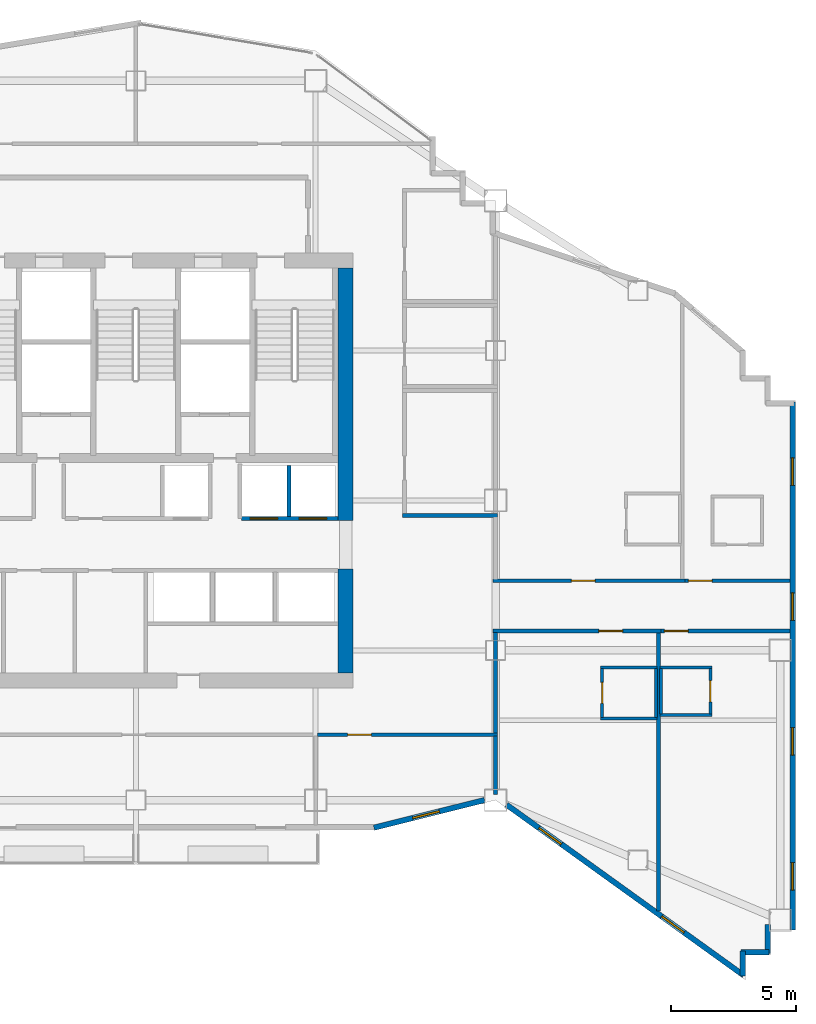
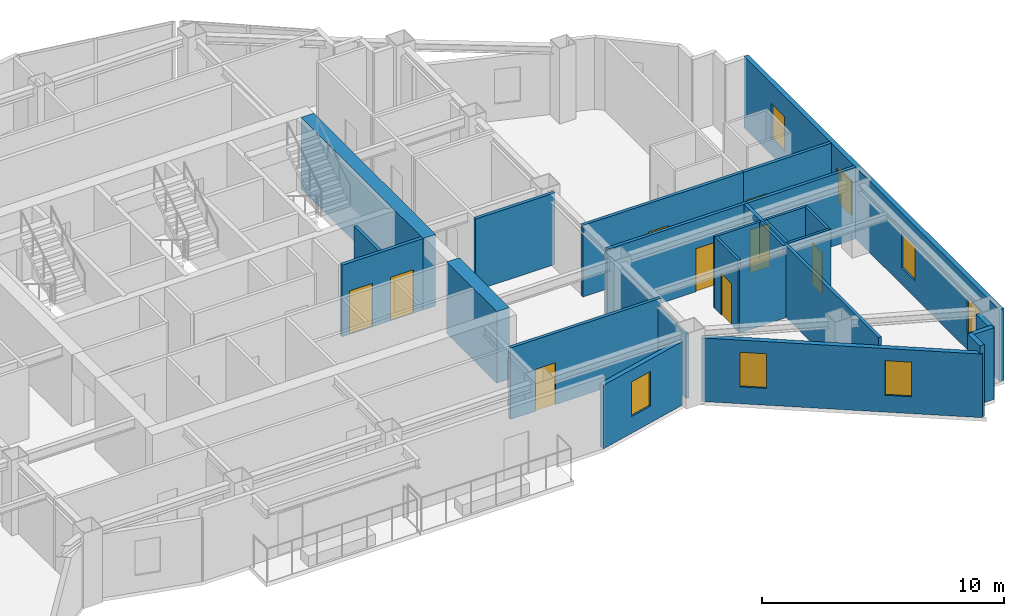
# One storey, part 7 of 10: 27 walls, 9 doors, 7 windows, 16 openings.
"""IFC4 building model written with IfcOpenShell, lengths in metres."""

from ifc_helpers import new_model, si_unit, direction, frame, frame_2d, origin, place, context, subcontext, project, spatial, rectangle, extrude, material, layer, layer_set, type_object, element, fill, save


model = new_model("IFC4")

# Units and contexts
model_context = context("Model", 3, precision=1e-05, world=origin(), true_north=direction((0.0, 1.0)))
body_context = subcontext(model_context, "Body", "Model", "MODEL_VIEW")
ifc_project = project(units=[si_unit("LENGTHUNIT", "METRE"), si_unit("AREAUNIT", "SQUARE_METRE"), si_unit("VOLUMEUNIT", "CUBIC_METRE"), si_unit("PLANEANGLEUNIT", "RADIAN"), si_unit("MASSUNIT", "GRAM", prefix="KILO")], contexts=[model_context])

# Site, building, storey
site_placement = place(None, origin())
site = spatial("IfcSite", under=ifc_project, at=site_placement, CompositionType="ELEMENT")
building_placement = place(site_placement, origin())
building = spatial("IfcBuilding", under=site, at=building_placement, Name="Haolan Belvedere Tower", CompositionType="ELEMENT")
storey_placement = place(building_placement, frame((0.0, 0.0, 180.39990234375)))
storey = spatial("IfcBuildingStorey", under=building, at=storey_placement, Name="L45", CompositionType="ELEMENT", Elevation=180.39990234375)

# Walls
ifc_material_1 = material(Name="Concrete C60/75", Category="concrete")
ifc_layer_1 = layer(ifc_material_1, 0.60009765625, Name="Concrete C60/75")
ifc_layer_set_1 = layer_set([ifc_layer_1], Name="Concrete C60/75")
wall_type_1 = type_object("IfcWallType", Name="WL-CORE-600", PredefinedType="SHEAR", material=ifc_layer_set_1)
wall_1_placement = place(storey_placement, frame((46.800048828125, 26.699951171875, 0.0), z_axis=(0.0, 0.0, 1.0), x_axis=(0.0, 1.0, 0.0)))
element("IfcWall", 1, at=wall_1_placement, inside=storey, type_object=wall_type_1, Name="L45 central core shear wall ES", PredefinedType="SHEAR", context=body_context, shape_type="SweptSolid", body=[
    extrude(rectangle(XDim=4.150146484375, YDim=0.60009765625, at=frame_2d((2.0751953125, 0.0))), origin(), (0.0, 0.0, 1.0), 3.6201171875),
])
wall_2_placement = place(storey_placement, frame((46.800048828125, 32.800048828125, 0.0), z_axis=(0.0, 0.0, 1.0), x_axis=(0.0, 1.0, 0.0)))
element("IfcWall", 2, at=wall_2_placement, inside=storey, type_object=wall_type_1, Name="L45 central core shear wall EN", PredefinedType="SHEAR", context=body_context, shape_type="SweptSolid", body=[
    extrude(rectangle(XDim=10.099853515625, YDim=0.60009765625, at=frame_2d((5.0498046875, 0.0))), origin(), (0.0, 0.0, 1.0), 3.6201171875),
])

# Wall, opening, window
ifc_material_2 = material(Name="Precast concrete C40/50", Category="concrete")
ifc_layer_2 = layer(ifc_material_2, 0.219970703125, Name="Precast concrete C40/50")
ifc_layer_set_2 = layer_set([ifc_layer_2], Name="Precast concrete C40/50")
wall_type_2 = type_object("IfcWallType", Name="WL-EXT-220", PredefinedType="SOLIDWALL", material=ifc_layer_set_2)
wall_3_placement = place(storey_placement, frame((47.93310546875, 20.49658203125, 0.0), z_axis=(0.0, 0.0, 1.0), x_axis=(0.970142500145, 0.242535625036, 0.0)))
wall_3 = element("IfcWall", 3, at=wall_3_placement, inside=storey, type_object=wall_type_2, Name="L45 pale-metal exterior spandrel wall 2.1", PredefinedType="SOLIDWALL", context=body_context, shape_type="SweptSolid", body=[
    extrude(rectangle(XDim=4.56103515625, YDim=0.219970703125, at=frame_2d((2.280517578125, 0.0))), origin(), (0.0, 0.0, 1.0), 3.215087890625),
])
opening_1_placement = place(wall_3_placement, frame((1.60009765625, 0.0, 0.85009765625)))
opening_1 = element("IfcOpeningElement", 4, at=opening_1_placement, cuts=wall_3, Name="Opening W-03", PredefinedType="OPENING", context=body_context, shape_type="SweptSolid", body=[
    extrude(rectangle(XDim=1.10009765625, YDim=1.75, at=frame_2d((0.550048828125, 0.875))), frame((0.0, 0.119873046875, 0.0), z_axis=(0.0, -1.0, 0.0), x_axis=(1.0, 0.0, 0.0)), (0.0, 0.0, 1.0), 0.239990234375),
])
ifc_material_3 = material(Name="Anodised aluminium 6063-T6 and Low-E glass", Category="aluminium")
window_type = type_object("IfcWindowType", Name="WN-DECO-Z3", PartitioningType="SINGLE_PANEL", PredefinedType="WINDOW", material=ifc_material_3)
window_1_placement = place(opening_1_placement, origin())
window_1 = element("IfcWindow", 5, at=window_1_placement, inside=storey, type_object=window_type, Name="L45 Art Deco chevron window 1", OverallHeight=1.75, OverallWidth=1.10009765625, PartitioningType="SINGLE_PANEL", PredefinedType="WINDOW", context=body_context, shape_type="SweptSolid", body=[
    extrude(rectangle(XDim=1.10009765625, YDim=1.75, at=frame_2d((0.550048828125, 0.875))), frame((0.0, 0.030029296875, 0.0), z_axis=(0.0, -1.0, 0.0), x_axis=(1.0, 0.0, 0.0)), (0.0, 0.0, 1.0), 0.06005859375),
])
fill(opening_1, window_1)

# Wall, openings, windows
wall_4_placement = place(storey_placement, frame((53.241943359375, 21.417236328125, 0.0), z_axis=(0.0, 0.0, 1.0), x_axis=(0.811534737332, -0.58430417601, 0.0)))
wall_4 = element("IfcWall", 6, at=wall_4_placement, inside=storey, type_object=wall_type_2, Name="L45 pale-metal exterior spandrel wall 3.1", PredefinedType="SOLIDWALL", context=body_context, shape_type="SweptSolid", body=[
    extrude(rectangle(XDim=11.697265625, YDim=0.219970703125, at=frame_2d((5.8486328125, 0.0))), origin(), (0.0, 0.0, 1.0), 3.215087890625),
])
opening_2_placement = place(wall_4_placement, frame((1.60009765625, 0.0, 0.85009765625)))
opening_2 = element("IfcOpeningElement", 7, at=opening_2_placement, cuts=wall_4, Name="Opening W-03", PredefinedType="OPENING", context=body_context, shape_type="SweptSolid", body=[
    extrude(rectangle(XDim=1.10009765625, YDim=1.75, at=frame_2d((0.550048828125, 0.875))), frame((0.0, 0.119873046875, 0.0), z_axis=(0.0, -1.0, 0.0), x_axis=(1.0, 0.0, 0.0)), (0.0, 0.0, 1.0), 0.239990234375),
])
opening_3_placement = place(wall_4_placement, frame((7.651123046875, 0.0, 0.85009765625)))
opening_3 = element("IfcOpeningElement", 8, at=opening_3_placement, cuts=wall_4, Name="Opening W-03", PredefinedType="OPENING", context=body_context, shape_type="SweptSolid", body=[
    extrude(rectangle(XDim=1.10009765625, YDim=1.75, at=frame_2d((0.550048828125, 0.875))), frame((0.0, 0.119873046875, 0.0), z_axis=(0.0, -1.0, 0.0), x_axis=(1.0, 0.0, 0.0)), (0.0, 0.0, 1.0), 0.239990234375),
])
window_2_placement = place(opening_2_placement, origin())
window_2 = element("IfcWindow", 9, at=window_2_placement, inside=storey, type_object=window_type, Name="L45 Art Deco chevron window 1", OverallHeight=1.75, OverallWidth=1.10009765625, PartitioningType="SINGLE_PANEL", PredefinedType="WINDOW", context=body_context, shape_type="SweptSolid", body=[
    extrude(rectangle(XDim=1.10009765625, YDim=1.75, at=frame_2d((0.550048828125, 0.875))), frame((0.0, 0.030029296875, 0.0), z_axis=(0.0, -1.0, 0.0), x_axis=(1.0, 0.0, 0.0)), (0.0, 0.0, 1.0), 0.06005859375),
])
fill(opening_2, window_2)
window_3_placement = place(opening_3_placement, origin())
window_3 = element("IfcWindow", 10, at=window_3_placement, inside=storey, type_object=window_type, Name="L45 Art Deco chevron window 2", OverallHeight=1.75, OverallWidth=1.10009765625, PartitioningType="SINGLE_PANEL", PredefinedType="WINDOW", context=body_context, shape_type="SweptSolid", body=[
    extrude(rectangle(XDim=1.10009765625, YDim=1.75, at=frame_2d((0.550048828125, 0.875))), frame((0.0, 0.030029296875, 0.0), z_axis=(0.0, -1.0, 0.0), x_axis=(1.0, 0.0, 0.0)), (0.0, 0.0, 1.0), 0.06005859375),
])
fill(opening_3, window_3)

# Walls
wall_5_placement = place(storey_placement, frame((62.68994140625, 14.559814453125, 0.0), z_axis=(0.0, 0.0, 1.0), x_axis=(0.0, 1.0, 0.0)))
element("IfcWall", 11, at=wall_5_placement, inside=storey, type_object=wall_type_2, Name="L45 pale-metal exterior spandrel wall 4.1", PredefinedType="SOLIDWALL", context=body_context, shape_type="SweptSolid", body=[
    extrude(rectangle(XDim=1.005126953125, YDim=0.219970703125, at=frame_2d((0.50244140625, 0.0))), origin(), (0.0, 0.0, 1.0), 3.6201171875),
])
wall_6_placement = place(storey_placement, frame((62.635009765625, 15.510009765625, 0.0), z_axis=(0.0, 0.0, 1.0), x_axis=(1.0, 0.0, 0.0)))
element("IfcWall", 12, at=wall_6_placement, inside=storey, type_object=wall_type_2, Name="L45 pale-metal exterior spandrel wall 5.1", PredefinedType="SOLIDWALL", context=body_context, shape_type="SweptSolid", body=[
    extrude(rectangle(XDim=1.110107421875, YDim=0.219970703125, at=frame_2d((0.55517578125, 0.0))), origin(), (0.0, 0.0, 1.0), 3.6201171875),
])
wall_7_placement = place(storey_placement, frame((63.68994140625, 15.455078125, 0.0), z_axis=(0.0, 0.0, 1.0), x_axis=(0.0, 1.0, 0.0)))
element("IfcWall", 13, at=wall_7_placement, inside=storey, type_object=wall_type_2, Name="L45 pale-metal exterior spandrel wall 6.1", PredefinedType="SOLIDWALL", context=body_context, shape_type="SweptSolid", body=[
    extrude(rectangle(XDim=1.1650390625, YDim=0.219970703125, at=frame_2d((0.58251953125, 0.0))), origin(), (0.0, 0.0, 1.0), 3.6201171875),
])

# Wall, openings, windows
wall_8_placement = place(storey_placement, frame((64.68994140625, 16.39990234375, 0.0), z_axis=(0.0, 0.0, 1.0), x_axis=(0.0, 1.0, 0.0)))
wall_8 = element("IfcWall", 14, at=wall_8_placement, inside=storey, type_object=wall_type_2, Name="L45 pale-metal exterior spandrel wall 8.1", PredefinedType="SOLIDWALL", context=body_context, shape_type="SweptSolid", body=[
    extrude(rectangle(XDim=21.14501953125, YDim=0.219970703125, at=frame_2d((10.572509765625, 0.0))), origin(), (0.0, 0.0, 1.0), 3.6201171875),
])
opening_4_placement = place(wall_8_placement, frame((1.60009765625, 0.0, 0.85009765625)))
opening_4 = element("IfcOpeningElement", 15, at=opening_4_placement, cuts=wall_8, Name="Opening W-03", PredefinedType="OPENING", context=body_context, shape_type="SweptSolid", body=[
    extrude(rectangle(XDim=1.10009765625, YDim=1.75, at=frame_2d((0.550048828125, 0.875))), frame((0.0, 0.119873046875, 0.0), z_axis=(0.0, -1.0, 0.0), x_axis=(1.0, 0.0, 0.0)), (0.0, 0.0, 1.0), 0.239990234375),
])
opening_5_placement = place(wall_8_placement, frame((7.0, 0.0, 0.85009765625)))
opening_5 = element("IfcOpeningElement", 16, at=opening_5_placement, cuts=wall_8, Name="Opening W-03", PredefinedType="OPENING", context=body_context, shape_type="SweptSolid", body=[
    extrude(rectangle(XDim=1.10009765625, YDim=1.75, at=frame_2d((0.550048828125, 0.875))), frame((0.0, 0.119873046875, 0.0), z_axis=(0.0, -1.0, 0.0), x_axis=(1.0, 0.0, 0.0)), (0.0, 0.0, 1.0), 0.239990234375),
])
opening_6_placement = place(wall_8_placement, frame((12.39990234375, 0.0, 0.85009765625)))
opening_6 = element("IfcOpeningElement", 17, at=opening_6_placement, cuts=wall_8, Name="Opening W-03", PredefinedType="OPENING", context=body_context, shape_type="SweptSolid", body=[
    extrude(rectangle(XDim=1.10009765625, YDim=1.75, at=frame_2d((0.550048828125, 0.875))), frame((0.0, 0.119873046875, 0.0), z_axis=(0.0, -1.0, 0.0), x_axis=(1.0, 0.0, 0.0)), (0.0, 0.0, 1.0), 0.239990234375),
])
opening_7_placement = place(wall_8_placement, frame((17.800048828125, 0.0, 0.85009765625)))
opening_7 = element("IfcOpeningElement", 18, at=opening_7_placement, cuts=wall_8, Name="Opening W-03", PredefinedType="OPENING", context=body_context, shape_type="SweptSolid", body=[
    extrude(rectangle(XDim=1.10009765625, YDim=1.75, at=frame_2d((0.550048828125, 0.875))), frame((0.0, 0.119873046875, 0.0), z_axis=(0.0, -1.0, 0.0), x_axis=(1.0, 0.0, 0.0)), (0.0, 0.0, 1.0), 0.239990234375),
])
window_4_placement = place(opening_4_placement, origin())
window_4 = element("IfcWindow", 19, at=window_4_placement, inside=storey, type_object=window_type, Name="L45 Art Deco chevron window 1", OverallHeight=1.75, OverallWidth=1.10009765625, PartitioningType="SINGLE_PANEL", PredefinedType="WINDOW", context=body_context, shape_type="SweptSolid", body=[
    extrude(rectangle(XDim=1.10009765625, YDim=1.75, at=frame_2d((0.550048828125, 0.875))), frame((0.0, 0.030029296875, 0.0), z_axis=(0.0, -1.0, 0.0), x_axis=(1.0, 0.0, 0.0)), (0.0, 0.0, 1.0), 0.06005859375),
])
fill(opening_4, window_4)
window_5_placement = place(opening_5_placement, origin())
window_5 = element("IfcWindow", 20, at=window_5_placement, inside=storey, type_object=window_type, Name="L45 Art Deco chevron window 2", OverallHeight=1.75, OverallWidth=1.10009765625, PartitioningType="SINGLE_PANEL", PredefinedType="WINDOW", context=body_context, shape_type="SweptSolid", body=[
    extrude(rectangle(XDim=1.10009765625, YDim=1.75, at=frame_2d((0.550048828125, 0.875))), frame((0.0, 0.030029296875, 0.0), z_axis=(0.0, -1.0, 0.0), x_axis=(1.0, 0.0, 0.0)), (0.0, 0.0, 1.0), 0.06005859375),
])
fill(opening_5, window_5)
window_6_placement = place(opening_6_placement, origin())
window_6 = element("IfcWindow", 21, at=window_6_placement, inside=storey, type_object=window_type, Name="L45 Art Deco chevron window 3", OverallHeight=1.75, OverallWidth=1.10009765625, PartitioningType="SINGLE_PANEL", PredefinedType="WINDOW", context=body_context, shape_type="SweptSolid", body=[
    extrude(rectangle(XDim=1.10009765625, YDim=1.75, at=frame_2d((0.550048828125, 0.875))), frame((0.0, 0.030029296875, 0.0), z_axis=(0.0, -1.0, 0.0), x_axis=(1.0, 0.0, 0.0)), (0.0, 0.0, 1.0), 0.06005859375),
])
fill(opening_6, window_6)
window_7_placement = place(opening_7_placement, origin())
window_7 = element("IfcWindow", 22, at=window_7_placement, inside=storey, type_object=window_type, Name="L45 Art Deco chevron window 4", OverallHeight=1.75, OverallWidth=1.10009765625, PartitioningType="SINGLE_PANEL", PredefinedType="WINDOW", context=body_context, shape_type="SweptSolid", body=[
    extrude(rectangle(XDim=1.10009765625, YDim=1.75, at=frame_2d((0.550048828125, 0.875))), frame((0.0, 0.030029296875, 0.0), z_axis=(0.0, -1.0, 0.0), x_axis=(1.0, 0.0, 0.0)), (0.0, 0.0, 1.0), 0.06005859375),
])
fill(opening_7, window_7)

# Wall
ifc_material_4 = material(Name="Double gypsum acoustic stud partition", Category="masonry")
ifc_layer_3 = layer(ifc_material_4, 0.14990234375, Name="Double gypsum acoustic stud partition")
ifc_layer_set_3 = layer_set([ifc_layer_3], Name="Double gypsum acoustic stud partition")
wall_type_3 = type_object("IfcWallType", Name="WL-PART-150", PredefinedType="PARTITIONING", material=ifc_layer_set_3)
wall_9_placement = place(storey_placement, frame((49.080078125, 33.0, 0.0), z_axis=(0.0, 0.0, 1.0), x_axis=(1.0, 0.0, 0.0)))
element("IfcWall", 23, at=wall_9_placement, inside=storey, type_object=wall_type_3, Name="L45 interior partition IW-L45-BPN-S", PredefinedType="PARTITIONING", context=body_context, shape_type="SweptSolid", body=[
    extrude(rectangle(XDim=3.7998046875, YDim=0.14990234375, at=frame_2d((1.89990234375, 0.0))), origin(), (0.0, 0.0, 1.0), 3.6201171875),
])

# Wall, opening, door
wall_10_placement = place(storey_placement, frame((45.681884765625, 24.219970703125, 0.0), z_axis=(0.0, 0.0, 1.0), x_axis=(1.0, 0.0, 0.0)))
wall_10 = element("IfcWall", 24, at=wall_10_placement, inside=storey, type_object=wall_type_3, Name="L45 interior partition IW-L45-KS3-N", PredefinedType="PARTITIONING", context=body_context, shape_type="SweptSolid", body=[
    extrude(rectangle(XDim=7.197998046875, YDim=0.14990234375, at=frame_2d((3.59912109375, 0.0))), origin(), (0.0, 0.0, 1.0), 3.6201171875),
])
opening_8_placement = place(wall_10_placement, frame((2.14306640625, 0.0, 0.0), z_axis=(0.0, 0.0, 1.0), x_axis=(-1.0, 0.0, 0.0)))
opening_8 = element("IfcOpeningElement", 25, at=opening_8_placement, cuts=wall_10, Name="Opening ID-03", PredefinedType="OPENING", context=body_context, shape_type="SweptSolid", body=[
    extrude(rectangle(XDim=0.949951171875, YDim=2.1201171875, at=frame_2d((0.47509765625, 1.06005859375))), frame((0.0, 0.0849609375, 0.0), z_axis=(0.0, -1.0, 0.0), x_axis=(1.0, 0.0, 0.0)), (0.0, 0.0, 1.0), 0.169921875),
])
ifc_material_5 = material(Name="Painted solid-core timber", Category="wood")
door_type_1 = type_object("IfcDoorType", Name="DR-INT-950", OperationType="NOTDEFINED", PredefinedType="DOOR", material=ifc_material_5)
door_1_placement = place(opening_8_placement, origin())
door_1 = element("IfcDoor", 26, at=door_1_placement, inside=storey, type_object=door_type_1, Name="L45 door ID-L45-KS3", OperationType="SINGLE_SWING_LEFT", OverallHeight=2.1201171875, OverallWidth=0.949951171875, PredefinedType="DOOR", context=body_context, shape_type="SweptSolid", body=[
    extrude(rectangle(XDim=0.949951171875, YDim=2.1201171875, at=frame_2d((0.47509765625, 1.06005859375))), frame((0.0, 0.02490234375, 0.0), z_axis=(0.0, -1.0, 0.0), x_axis=(1.0, 0.0, 0.0)), (0.0, 0.0, 1.0), 0.050048828125),
])
fill(opening_8, door_1)

# Wall
wall_11_placement = place(storey_placement, frame((52.800048828125, 21.818603515625, 0.0), z_axis=(0.0, 0.0, 1.0), x_axis=(0.0, 1.0, 0.0)))
element("IfcWall", 27, at=wall_11_placement, inside=storey, type_object=wall_type_3, Name="L45 interior partition IW-L45-KS3-E", PredefinedType="PARTITIONING", context=body_context, shape_type="SweptSolid", body=[
    extrude(rectangle(XDim=2.34130859375, YDim=0.14990234375, at=frame_2d((1.170654296875, 0.0))), origin(), (0.0, 0.0, 1.0), 3.215087890625),
])

# Wall, opening, door
wall_12_placement = place(storey_placement, frame((52.699951171875, 30.3798828125, 0.0), z_axis=(0.0, 0.0, 1.0), x_axis=(1.0, 0.0, 0.0)))
wall_12 = element("IfcWall", 28, at=wall_12_placement, inside=storey, type_object=wall_type_3, Name="L45 interior partition IW-L45-T4N1-S", PredefinedType="PARTITIONING", context=body_context, shape_type="SweptSolid", body=[
    extrude(rectangle(XDim=7.679931640625, YDim=0.14990234375, at=frame_2d((3.83984375, 0.0))), origin(), (0.0, 0.0, 1.0), 3.6201171875),
])
opening_9_placement = place(wall_12_placement, frame((3.137451171875, 0.0, 0.0)))
opening_9 = element("IfcOpeningElement", 29, at=opening_9_placement, cuts=wall_12, Name="Opening ID-01", PredefinedType="OPENING", context=body_context, shape_type="SweptSolid", body=[
    extrude(rectangle(XDim=0.949951171875, YDim=2.179931640625, at=frame_2d((0.47509765625, 1.08984375))), frame((0.0, 0.0849609375, 0.0), z_axis=(0.0, -1.0, 0.0), x_axis=(1.0, 0.0, 0.0)), (0.0, 0.0, 1.0), 0.169921875),
])
ifc_material_6 = material(Name="Acoustic walnut veneer fire-rated timber", Category="wood")
door_type_2 = type_object("IfcDoorType", Name="DR-SUITE-950", OperationType="NOTDEFINED", PredefinedType="DOOR", material=ifc_material_6)
door_2_placement = place(opening_9_placement, origin())
door_2 = element("IfcDoor", 30, at=door_2_placement, inside=storey, type_object=door_type_2, Name="L45 door ID-L45-T4N1-ENT", OperationType="SINGLE_SWING_RIGHT", OverallHeight=2.179931640625, OverallWidth=0.949951171875, PredefinedType="DOOR", context=body_context, shape_type="SweptSolid", body=[
    extrude(rectangle(XDim=0.949951171875, YDim=2.179931640625, at=frame_2d((0.47509765625, 1.08984375))), frame((0.0, 0.02490234375, 0.0), z_axis=(0.0, -1.0, 0.0), x_axis=(1.0, 0.0, 0.0)), (0.0, 0.0, 1.0), 0.050048828125),
])
fill(opening_9, door_2)

wall_13_placement = place(storey_placement, frame((60.382080078125, 30.3798828125, 0.0), z_axis=(0.0, 0.0, 1.0), x_axis=(1.0, 0.0, 0.0)))
wall_13 = element("IfcWall", 31, at=wall_13_placement, inside=storey, type_object=wall_type_3, Name="L45 interior partition IW-L45-T4N2-S", PredefinedType="PARTITIONING", context=body_context, shape_type="SweptSolid", body=[
    extrude(rectangle(XDim=4.205810546875, YDim=0.14990234375, at=frame_2d((2.10302734375, 0.0))), origin(), (0.0, 0.0, 1.0), 3.6201171875),
])
opening_10_placement = place(wall_13_placement, frame((0.139892578125, 0.0, 0.0)))
opening_10 = element("IfcOpeningElement", 32, at=opening_10_placement, cuts=wall_13, Name="Opening ID-02", PredefinedType="OPENING", context=body_context, shape_type="SweptSolid", body=[
    extrude(rectangle(XDim=0.949951171875, YDim=2.14990234375, at=frame_2d((0.47509765625, 1.074951171875))), frame((0.0, 0.0849609375, 0.0), z_axis=(0.0, -1.0, 0.0), x_axis=(1.0, 0.0, 0.0)), (0.0, 0.0, 1.0), 0.169921875),
])
ifc_material_7 = material(Name="Acoustic oak veneer fire-rated timber", Category="wood")
door_type_3 = type_object("IfcDoorType", Name="DR-GUEST-950", OperationType="NOTDEFINED", PredefinedType="DOOR", material=ifc_material_7)
door_3_placement = place(opening_10_placement, origin())
door_3 = element("IfcDoor", 33, at=door_3_placement, inside=storey, type_object=door_type_3, Name="L45 door ID-L45-T4N2-ENT", OperationType="SINGLE_SWING_LEFT", OverallHeight=2.14990234375, OverallWidth=0.949951171875, PredefinedType="DOOR", context=body_context, shape_type="SweptSolid", body=[
    extrude(rectangle(XDim=0.949951171875, YDim=2.14990234375, at=frame_2d((0.47509765625, 1.074951171875))), frame((0.0, 0.02490234375, 0.0), z_axis=(0.0, -1.0, 0.0), x_axis=(1.0, 0.0, 0.0)), (0.0, 0.0, 1.0), 0.050048828125),
])
fill(opening_10, door_3)

wall_14_placement = place(storey_placement, frame((52.699951171875, 28.3701171875, 0.0), z_axis=(0.0, 0.0, 1.0), x_axis=(1.0, 0.0, 0.0)))
wall_14 = element("IfcWall", 34, at=wall_14_placement, inside=storey, type_object=wall_type_3, Name="L45 interior partition IW-L45-T4S1-N", PredefinedType="PARTITIONING", context=body_context, shape_type="SweptSolid", body=[
    extrude(rectangle(XDim=6.719970703125, YDim=0.14990234375, at=frame_2d((3.35986328125, 0.0))), origin(), (0.0, 0.0, 1.0), 3.6201171875),
])
opening_11_placement = place(wall_14_placement, frame((5.1875, 0.0, 0.0), z_axis=(0.0, 0.0, 1.0), x_axis=(-1.0, 0.0, 0.0)))
opening_11 = element("IfcOpeningElement", 35, at=opening_11_placement, cuts=wall_14, Name="Opening ID-01", PredefinedType="OPENING", context=body_context, shape_type="SweptSolid", body=[
    extrude(rectangle(XDim=0.949951171875, YDim=2.179931640625, at=frame_2d((0.47509765625, 1.08984375))), frame((0.0, 0.0849609375, 0.0), z_axis=(0.0, -1.0, 0.0), x_axis=(1.0, 0.0, 0.0)), (0.0, 0.0, 1.0), 0.169921875),
])
door_4_placement = place(opening_11_placement, origin())
door_4 = element("IfcDoor", 36, at=door_4_placement, inside=storey, type_object=door_type_2, Name="L45 door ID-L45-T4S1-ENT", OperationType="SINGLE_SWING_RIGHT", OverallHeight=2.179931640625, OverallWidth=0.949951171875, PredefinedType="DOOR", context=body_context, shape_type="SweptSolid", body=[
    extrude(rectangle(XDim=0.949951171875, YDim=2.179931640625, at=frame_2d((0.47509765625, 1.08984375))), frame((0.0, 0.02490234375, 0.0), z_axis=(0.0, -1.0, 0.0), x_axis=(1.0, 0.0, 0.0)), (0.0, 0.0, 1.0), 0.050048828125),
])
fill(opening_11, door_4)

# Walls
wall_15_placement = place(storey_placement, frame((52.800048828125, 24.280029296875, 0.0), z_axis=(0.0, 0.0, 1.0), x_axis=(0.0, 1.0, 0.0)))
element("IfcWall", 37, at=wall_15_placement, inside=storey, type_object=wall_type_3, Name="L45 interior partition IW-L45-T4S1-W", PredefinedType="PARTITIONING", context=body_context, shape_type="SweptSolid", body=[
    extrude(rectangle(XDim=4.030029296875, YDim=0.14990234375, at=frame_2d((2.01513671875, 0.0))), origin(), (0.0, 0.0, 1.0), 3.215087890625),
])
wall_16_placement = place(storey_placement, frame((59.320068359375, 17.166748046875, 0.0), z_axis=(0.0, 0.0, 1.0), x_axis=(0.0, 1.0, 0.0)))
element("IfcWall", 38, at=wall_16_placement, inside=storey, type_object=wall_type_3, Name="L45 interior partition IW-L45-T4S1-E", PredefinedType="PARTITIONING", context=body_context, shape_type="SweptSolid", body=[
    extrude(rectangle(XDim=11.143310546875, YDim=0.14990234375, at=frame_2d((5.57177734375, 0.0))), origin(), (0.0, 0.0, 1.0), 3.6201171875),
])

# Wall, opening, door
wall_17_placement = place(storey_placement, frame((59.422119140625, 28.3701171875, 0.0), z_axis=(0.0, 0.0, 1.0), x_axis=(1.0, 0.0, 0.0)))
wall_17 = element("IfcWall", 39, at=wall_17_placement, inside=storey, type_object=wall_type_3, Name="L45 interior partition IW-L45-T4S2-N", PredefinedType="PARTITIONING", context=body_context, shape_type="SweptSolid", body=[
    extrude(rectangle(XDim=5.165771484375, YDim=0.14990234375, at=frame_2d((2.5830078125, 0.0))), origin(), (0.0, 0.0, 1.0), 3.6201171875),
])
opening_12_placement = place(wall_17_placement, frame((1.08984375, 0.0, 0.0), z_axis=(0.0, 0.0, 1.0), x_axis=(-1.0, 0.0, 0.0)))
opening_12 = element("IfcOpeningElement", 40, at=opening_12_placement, cuts=wall_17, Name="Opening ID-01", PredefinedType="OPENING", context=body_context, shape_type="SweptSolid", body=[
    extrude(rectangle(XDim=0.949951171875, YDim=2.179931640625, at=frame_2d((0.47509765625, 1.08984375))), frame((0.0, 0.0849609375, 0.0), z_axis=(0.0, -1.0, 0.0), x_axis=(1.0, 0.0, 0.0)), (0.0, 0.0, 1.0), 0.169921875),
])
door_5_placement = place(opening_12_placement, origin())
door_5 = element("IfcDoor", 41, at=door_5_placement, inside=storey, type_object=door_type_2, Name="L45 door ID-L45-T4S2-ENT", OperationType="SINGLE_SWING_LEFT", OverallHeight=2.179931640625, OverallWidth=0.949951171875, PredefinedType="DOOR", context=body_context, shape_type="SweptSolid", body=[
    extrude(rectangle(XDim=0.949951171875, YDim=2.179931640625, at=frame_2d((0.47509765625, 1.08984375))), frame((0.0, 0.02490234375, 0.0), z_axis=(0.0, -1.0, 0.0), x_axis=(1.0, 0.0, 0.0)), (0.0, 0.0, 1.0), 0.050048828125),
])
fill(opening_12, door_5)

# Wall, openings, doors
ifc_material_8 = material(Name="Gypsum fire shaftwall assembly", Category="masonry")
ifc_layer_4 = layer(ifc_material_8, 0.1650390625, Name="Gypsum fire shaftwall assembly")
ifc_layer_set_4 = layer_set([ifc_layer_4], Name="Gypsum fire shaftwall assembly")
wall_type_4 = type_object("IfcWallType", Name="WL-SHAFT-160", PredefinedType="SOLIDWALL", material=ifc_layer_set_4)
wall_18_placement = place(storey_placement, frame((42.6298828125, 32.8798828125, 0.0), z_axis=(0.0, 0.0, 1.0), x_axis=(1.0, 0.0, 0.0)))
wall_18 = element("IfcWall", 42, at=wall_18_placement, inside=storey, type_object=wall_type_4, Name="L45 interior partition IW-L45-ROW-PN3", PredefinedType="SOLIDWALL", context=body_context, shape_type="SweptSolid", body=[
    extrude(rectangle(XDim=3.8701171875, YDim=0.159912109375, at=frame_2d((1.93505859375, 0.0))), origin(), (0.0, 0.0, 1.0), 3.6201171875),
])
opening_13_placement = place(wall_18_placement, frame((1.4501953125, 0.0, 0.0), z_axis=(0.0, 0.0, 1.0), x_axis=(-1.0, 0.0, 0.0)))
opening_13 = element("IfcOpeningElement", 43, at=opening_13_placement, cuts=wall_18, Name="Opening LD-01", PredefinedType="OPENING", context=body_context, shape_type="SweptSolid", body=[
    extrude(rectangle(XDim=1.10009765625, YDim=2.199951171875, at=frame_2d((0.550048828125, 1.10009765625))), frame((0.0, 0.08984375, 0.0), z_axis=(0.0, -1.0, 0.0), x_axis=(1.0, 0.0, 0.0)), (0.0, 0.0, 1.0), 0.179931640625),
])
opening_14_placement = place(wall_18_placement, frame((3.41015625, 0.0, 0.0), z_axis=(0.0, 0.0, 1.0), x_axis=(-1.0, 0.0, 0.0)))
opening_14 = element("IfcOpeningElement", 44, at=opening_14_placement, cuts=wall_18, Name="Opening LD-01", PredefinedType="OPENING", context=body_context, shape_type="SweptSolid", body=[
    extrude(rectangle(XDim=1.10009765625, YDim=2.199951171875, at=frame_2d((0.550048828125, 1.10009765625))), frame((0.0, 0.08984375, 0.0), z_axis=(0.0, -1.0, 0.0), x_axis=(1.0, 0.0, 0.0)), (0.0, 0.0, 1.0), 0.179931640625),
])
ifc_material_9 = material(Name="Brushed champagne stainless steel 316L", Category="steel")
door_type_4 = type_object("IfcDoorType", Name="DR-LIFT-1100", OperationType="SLIDING_TO_LEFT", PredefinedType="DOOR", material=ifc_material_9)
door_6_placement = place(opening_13_placement, origin())
door_6 = element("IfcDoor", 45, at=door_6_placement, inside=storey, type_object=door_type_4, Name="L45 door ID-L45-LD-PH2", OperationType="SLIDING_TO_RIGHT", OverallHeight=2.199951171875, OverallWidth=1.10009765625, PredefinedType="DOOR", context=body_context, shape_type="SweptSolid", body=[
    extrude(rectangle(XDim=1.10009765625, YDim=2.199951171875, at=frame_2d((0.550048828125, 1.10009765625))), frame((0.0, 0.02490234375, 0.0), z_axis=(0.0, -1.0, 0.0), x_axis=(1.0, 0.0, 0.0)), (0.0, 0.0, 1.0), 0.050048828125),
])
fill(opening_13, door_6)
door_7_placement = place(opening_14_placement, origin())
door_7 = element("IfcDoor", 46, at=door_7_placement, inside=storey, type_object=door_type_4, Name="L45 door ID-L45-LD-PH3", OperationType="SLIDING_TO_RIGHT", OverallHeight=2.199951171875, OverallWidth=1.10009765625, PredefinedType="DOOR", context=body_context, shape_type="SweptSolid", body=[
    extrude(rectangle(XDim=1.10009765625, YDim=2.199951171875, at=frame_2d((0.550048828125, 1.10009765625))), frame((0.0, 0.02490234375, 0.0), z_axis=(0.0, -1.0, 0.0), x_axis=(1.0, 0.0, 0.0)), (0.0, 0.0, 1.0), 0.050048828125),
])
fill(opening_14, door_7)

# Walls
wall_19_placement = place(storey_placement, frame((44.530029296875, 32.949951171875, 0.0), z_axis=(0.0, 0.0, 1.0), x_axis=(0.0, 1.0, 0.0)))
element("IfcWall", 47, at=wall_19_placement, inside=storey, type_object=wall_type_4, Name="L45 interior partition IW-L45-DIV-PH2", PredefinedType="SOLIDWALL", context=body_context, shape_type="SweptSolid", body=[
    extrude(rectangle(XDim=2.050048828125, YDim=0.14990234375, at=frame_2d((1.02490234375, 0.0))), origin(), (0.0, 0.0, 1.0), 3.6201171875),
])
ifc_material_10 = material(Name="Moisture-resistant gypsum tile partition", Category="masonry")
ifc_layer_5 = layer(ifc_material_10, 0.1201171875, Name="Moisture-resistant gypsum tile partition")
ifc_layer_set_5 = layer_set([ifc_layer_5], Name="Moisture-resistant gypsum tile partition")
wall_type_5 = type_object("IfcWallType", Name="WL-WET-120", PredefinedType="PARTITIONING", material=ifc_layer_set_5)
wall_20_placement = place(storey_placement, frame((57.010009765625, 26.919921875, 0.0), z_axis=(0.0, 0.0, 1.0), x_axis=(1.0, 0.0, 0.0)))
element("IfcWall", 48, at=wall_20_placement, inside=storey, type_object=wall_type_5, Name="L45 interior partition IW-L45-T4S1-BN", PredefinedType="PARTITIONING", context=body_context, shape_type="SweptSolid", body=[
    extrude(rectangle(XDim=2.25, YDim=0.1201171875, at=frame_2d((1.125, 0.0))), origin(), (0.0, 0.0, 1.0), 3.6201171875),
])
wall_21_placement = place(storey_placement, frame((57.010009765625, 24.8701171875, 0.0), z_axis=(0.0, 0.0, 1.0), x_axis=(1.0, 0.0, 0.0)))
element("IfcWall", 49, at=wall_21_placement, inside=storey, type_object=wall_type_5, Name="L45 interior partition IW-L45-T4S1-BS", PredefinedType="PARTITIONING", context=body_context, shape_type="SweptSolid", body=[
    extrude(rectangle(XDim=2.25, YDim=0.1201171875, at=frame_2d((1.125, 0.0))), origin(), (0.0, 0.0, 1.0), 3.255126953125),
])

# Wall, opening, door
wall_22_placement = place(storey_placement, frame((57.070068359375, 24.9150390625, 0.0), z_axis=(0.0, 0.0, 1.0), x_axis=(0.0, 1.0, 0.0)))
wall_22 = element("IfcWall", 50, at=wall_22_placement, inside=storey, type_object=wall_type_5, Name="L45 interior partition IW-L45-T4S1-BW", PredefinedType="PARTITIONING", context=body_context, shape_type="SweptSolid", body=[
    extrude(rectangle(XDim=1.9599609375, YDim=0.1201171875, at=frame_2d((0.97998046875, 0.0))), origin(), (0.0, 0.0, 1.0), 3.6201171875),
])
opening_15_placement = place(wall_22_placement, frame((1.405029296875, 0.0, 0.0), z_axis=(0.0, 0.0, 1.0), x_axis=(-1.0, 0.0, 0.0)))
opening_15 = element("IfcOpeningElement", 51, at=opening_15_placement, cuts=wall_22, Name="Opening ID-05", PredefinedType="OPENING", context=body_context, shape_type="SweptSolid", body=[
    extrude(rectangle(XDim=0.85009765625, YDim=2.10009765625, at=frame_2d((0.425048828125, 1.050048828125))), frame((0.0, 0.070068359375, 0.0), z_axis=(0.0, -1.0, 0.0), x_axis=(1.0, 0.0, 0.0)), (0.0, 0.0, 1.0), 0.14013671875),
])
ifc_material_11 = material(Name="Moisture-resistant lacquered timber", Category="wood")
door_type_5 = type_object("IfcDoorType", Name="DR-BATH-850", OperationType="NOTDEFINED", PredefinedType="DOOR", material=ifc_material_11)
door_8_placement = place(opening_15_placement, origin())
door_8 = element("IfcDoor", 52, at=door_8_placement, inside=storey, type_object=door_type_5, Name="L45 door ID-L45-T4S1-BATH", OperationType="SINGLE_SWING_LEFT", OverallHeight=2.10009765625, OverallWidth=0.85009765625, PredefinedType="DOOR", context=body_context, shape_type="SweptSolid", body=[
    extrude(rectangle(XDim=0.85009765625, YDim=2.10009765625, at=frame_2d((0.425048828125, 1.050048828125))), frame((0.0, 0.02490234375, 0.0), z_axis=(0.0, -1.0, 0.0), x_axis=(1.0, 0.0, 0.0)), (0.0, 0.0, 1.0), 0.050048828125),
])
fill(opening_15, door_8)

# Walls
wall_23_placement = place(storey_placement, frame((59.219970703125, 24.9150390625, 0.0), z_axis=(0.0, 0.0, 1.0), x_axis=(0.0, 1.0, 0.0)))
element("IfcWall", 53, at=wall_23_placement, inside=storey, type_object=wall_type_5, Name="L45 interior partition IW-L45-T4S1-BE", PredefinedType="PARTITIONING", context=body_context, shape_type="SweptSolid", body=[
    extrude(rectangle(XDim=1.9599609375, YDim=0.1201171875, at=frame_2d((0.97998046875, 0.0))), origin(), (0.0, 0.0, 1.0), 3.6201171875),
])
for number, where, z_axis, x_axis, name in (
    (54, (59.3798828125, 26.919921875, 0.0), (0.0, 0.0, 1.0), (1.0, 0.0, 0.0), "L45 interior partition IW-L45-T4S2-BN"),
    (55, (59.3798828125, 25.0, 0.0), (0.0, 0.0, 1.0), (1.0, 0.0, 0.0), "L45 interior partition IW-L45-T4S2-BS"),
):
    element("IfcWall", number, at=place(storey_placement, frame(where, z_axis=z_axis, x_axis=x_axis)), inside=storey, type_object=wall_type_5, Name=name, PredefinedType="PARTITIONING", context=body_context, shape_type="SweptSolid", body=[
        extrude(rectangle(XDim=2.080078125, YDim=0.1201171875, at=frame_2d((1.0400390625, 0.0))), origin(), (0.0, 0.0, 1.0), 3.6201171875),
    ])
wall_24_placement = place(storey_placement, frame((59.419921875, 25.044921875, 0.0), z_axis=(0.0, 0.0, 1.0), x_axis=(0.0, 1.0, 0.0)))
element("IfcWall", 56, at=wall_24_placement, inside=storey, type_object=wall_type_5, Name="L45 interior partition IW-L45-T4S2-BW", PredefinedType="PARTITIONING", context=body_context, shape_type="SweptSolid", body=[
    extrude(rectangle(XDim=1.830078125, YDim=0.1201171875, at=frame_2d((0.9150390625, 0.0))), origin(), (0.0, 0.0, 1.0), 3.6201171875),
])

# Wall, opening, door
wall_25_placement = place(storey_placement, frame((61.39990234375, 25.044921875, 0.0), z_axis=(0.0, 0.0, 1.0), x_axis=(0.0, 1.0, 0.0)))
wall_25 = element("IfcWall", 57, at=wall_25_placement, inside=storey, type_object=wall_type_5, Name="L45 interior partition IW-L45-T4S2-BE", PredefinedType="PARTITIONING", context=body_context, shape_type="SweptSolid", body=[
    extrude(rectangle(XDim=1.830078125, YDim=0.1201171875, at=frame_2d((0.9150390625, 0.0))), origin(), (0.0, 0.0, 1.0), 3.6201171875),
])
opening_16_placement = place(wall_25_placement, frame((0.489990234375, 0.0, 0.0)))
opening_16 = element("IfcOpeningElement", 58, at=opening_16_placement, cuts=wall_25, Name="Opening ID-05", PredefinedType="OPENING", context=body_context, shape_type="SweptSolid", body=[
    extrude(rectangle(XDim=0.85009765625, YDim=2.10009765625, at=frame_2d((0.425048828125, 1.050048828125))), frame((0.0, 0.070068359375, 0.0), z_axis=(0.0, -1.0, 0.0), x_axis=(1.0, 0.0, 0.0)), (0.0, 0.0, 1.0), 0.14013671875),
])
door_9_placement = place(opening_16_placement, origin())
door_9 = element("IfcDoor", 59, at=door_9_placement, inside=storey, type_object=door_type_5, Name="L45 door ID-L45-T4S2-BATH", OperationType="SINGLE_SWING_RIGHT", OverallHeight=2.10009765625, OverallWidth=0.85009765625, PredefinedType="DOOR", context=body_context, shape_type="SweptSolid", body=[
    extrude(rectangle(XDim=0.85009765625, YDim=2.10009765625, at=frame_2d((0.425048828125, 1.050048828125))), frame((0.0, 0.02490234375, 0.0), z_axis=(0.0, -1.0, 0.0), x_axis=(1.0, 0.0, 0.0)), (0.0, 0.0, 1.0), 0.050048828125),
])
fill(opening_16, door_9)

save(model, "model.ifc")
